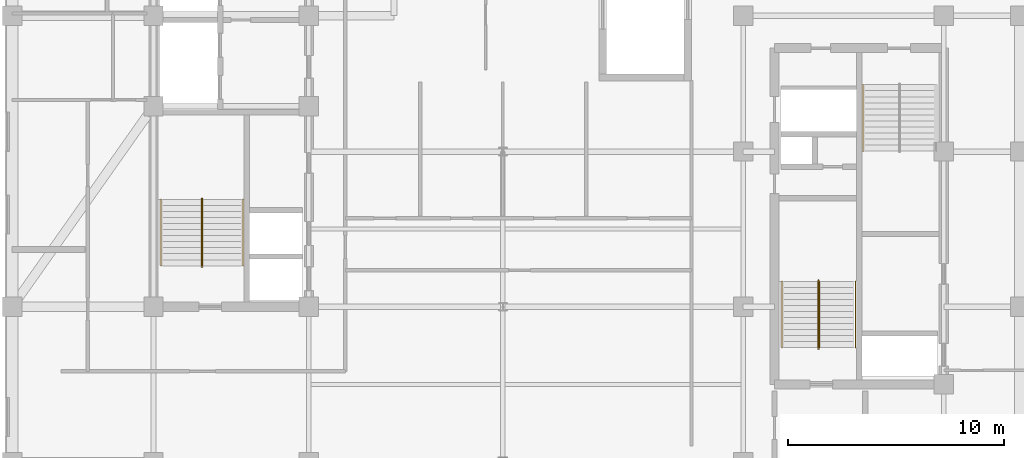
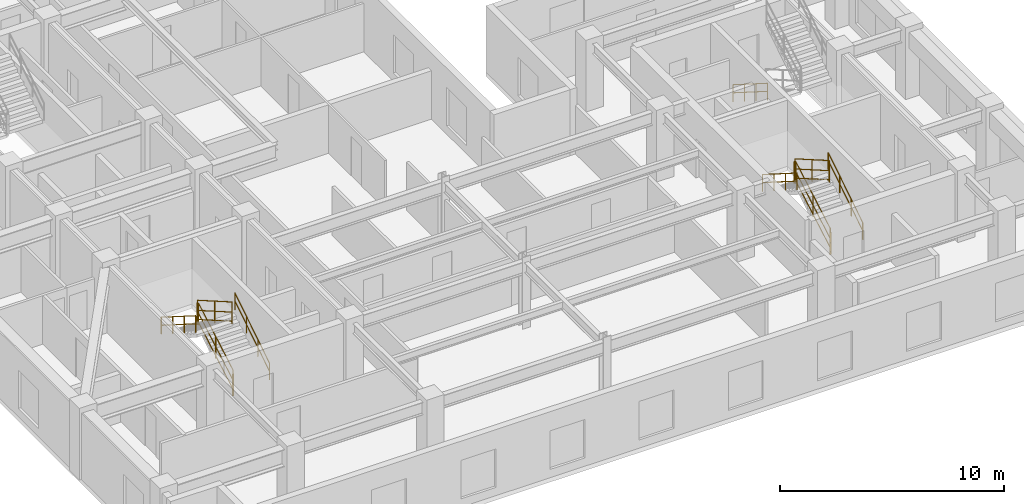
# One storey, part 8 of 10: 13 railings.
"""IFC4 building model written with IfcOpenShell, lengths in metres."""

from ifc_helpers import new_model, entity, si_unit, converted_unit, direction, frame, origin_with_axes, origin_2d_with_axis, place, context, subcontext, project, spatial, rectangle, circle, extrude, material, type_object, element, save


model = new_model("IFC4")

# Units and contexts
model_context = context("Model", 3, precision=1e-05, world=origin_with_axes(), true_north=direction((0.0, 1.0)))
body_context = subcontext(model_context, "Body", "Model", "MODEL_VIEW")
ifc_project = project(units=[si_unit("LENGTHUNIT", "METRE"), si_unit("AREAUNIT", "SQUARE_METRE"), si_unit("VOLUMEUNIT", "CUBIC_METRE"), converted_unit("PLANEANGLEUNIT", "DEGREE", entity("IfcPlaneAngleMeasure", 0.017453292519943295), si_unit("PLANEANGLEUNIT", "RADIAN"), dimensions=[0, 0, 0, 0, 0, 0, 0]), si_unit("MASSUNIT", "GRAM", prefix="KILO"), si_unit("THERMODYNAMICTEMPERATUREUNIT", "KELVIN")], contexts=[model_context])

# Site, building, storey
site_placement = place(None, origin_with_axes())
site = spatial("IfcSite", under=ifc_project, at=site_placement, CompositionType="ELEMENT")
building_placement = place(site_placement, origin_with_axes())
building = spatial("IfcBuilding", under=site, at=building_placement, Name="Varnlund Millrace Tower", CompositionType="ELEMENT")
storey_placement = place(building_placement, frame((0.0, 0.0, 244.2), z_axis=(0.0, 0.0, 1.0), x_axis=(1.0, 0.0, 0.0)))
storey = spatial("IfcBuildingStorey", under=building, at=storey_placement, Name="L60", CompositionType="ELEMENT", Elevation=244.2)

# Railings
ifc_material_1 = material(Name="Painted steel stair well balustrade guard", Category="steel")
railing_type_1 = type_object("IfcRailingType", Name="Type-StairGuard-1150", PredefinedType="GUARDRAIL", material=ifc_material_1)
railing_1_placement = place(storey_placement, frame((0.0, 0.0, -244.2), z_axis=(0.0, 0.0, 1.0), x_axis=(1.0, 0.0, 0.0)))
element("IfcRailing", 1, at=railing_1_placement, inside=storey, type_object=railing_type_1, Name="Type-StairGuard-1150", PredefinedType="GUARDRAIL", context=body_context, shape_type="SweptSolid", body=[
    extrude(circle(Radius=0.024, at=origin_2d_with_axis()), frame((13.675, 12.7, 245.527273), z_axis=(0.0, 0.866696, 0.498836), x_axis=(-1.0, 0.0, 0.0)), (0.0, 0.0, 1.0), 3.553725),
    extrude(circle(Radius=0.024, at=origin_2d_with_axis()), frame((13.675, 12.7, 244.477273), z_axis=(0.0, 0.866696, 0.498836), x_axis=(-1.0, 0.0, 0.0)), (0.0, 0.0, 1.0), 3.553725),
    extrude(circle(Radius=0.024, at=origin_2d_with_axis()), frame((13.675, 12.7, 244.975273), z_axis=(0.0, 0.866696, 0.498836), x_axis=(-1.0, 0.0, 0.0)), (0.0, 0.0, 1.0), 3.553725),
    extrude(rectangle(XDim=0.04, YDim=0.04, at=origin_2d_with_axis()), frame((13.675, 12.7, 244.337273), z_axis=(0.0, 0.0, 1.0), x_axis=(1.0, 0.0, 0.0)), (0.0, 0.0, 1.0), 1.19),
    extrude(rectangle(XDim=0.04, YDim=0.04, at=origin_2d_with_axis()), frame((13.675, 14.24, 245.223637), z_axis=(0.0, 0.0, 1.0), x_axis=(1.0, 0.0, 0.0)), (0.0, 0.0, 1.0), 1.19),
    extrude(rectangle(XDim=0.04, YDim=0.04, at=origin_2d_with_axis()), frame((13.675, 15.78, 246.11), z_axis=(0.0, 0.0, 1.0), x_axis=(1.0, 0.0, 0.0)), (0.0, 0.0, 1.0), 1.19),
])
railing_2_placement = place(storey_placement, frame((0.0, 0.0, -244.2), z_axis=(0.0, 0.0, 1.0), x_axis=(1.0, 0.0, 0.0)))
element("IfcRailing", 2, at=railing_2_placement, inside=storey, type_object=railing_type_1, Name="Type-StairGuard-1150", PredefinedType="GUARDRAIL", context=body_context, shape_type="SweptSolid", body=[
    extrude(circle(Radius=0.024, at=origin_2d_with_axis()), frame((13.625, 15.83, 247.3), z_axis=(1.0, 0.0, 0.0), x_axis=(0.0, 1.0, 0.0)), (0.0, 0.0, 1.0), 0.05),
    extrude(circle(Radius=0.024, at=origin_2d_with_axis()), frame((13.625, 15.83, 246.25), z_axis=(1.0, 0.0, 0.0), x_axis=(0.0, 1.0, 0.0)), (0.0, 0.0, 1.0), 0.05),
    extrude(circle(Radius=0.024, at=origin_2d_with_axis()), frame((13.625, 15.83, 246.748), z_axis=(1.0, 0.0, 0.0), x_axis=(0.0, 1.0, 0.0)), (0.0, 0.0, 1.0), 0.05),
    extrude(rectangle(XDim=0.04, YDim=0.04, at=origin_2d_with_axis()), frame((13.625, 15.83, 246.11), z_axis=(0.0, 0.0, 1.0), x_axis=(1.0, 0.0, 0.0)), (0.0, 0.0, 1.0), 1.19),
    extrude(rectangle(XDim=0.04, YDim=0.04, at=origin_2d_with_axis()), frame((13.675, 15.83, 246.11), z_axis=(0.0, 0.0, 1.0), x_axis=(1.0, 0.0, 0.0)), (0.0, 0.0, 1.0), 1.19),
])
railing_3_placement = place(storey_placement, frame((0.0, 0.0, -244.2), z_axis=(0.0, 0.0, 1.0), x_axis=(1.0, 0.0, 0.0)))
element("IfcRailing", 3, at=railing_3_placement, inside=storey, type_object=railing_type_1, Name="Type-StairGuard-1150", PredefinedType="GUARDRAIL", context=body_context, shape_type="SweptSolid", body=[
    extrude(circle(Radius=0.024, at=origin_2d_with_axis()), frame((13.625, 15.78, 247.477273), z_axis=(0.0, -0.866696, 0.498836), x_axis=(1.0, 0.0, 0.0)), (0.0, 0.0, 1.0), 3.553725),
    extrude(circle(Radius=0.024, at=origin_2d_with_axis()), frame((13.625, 15.78, 246.427273), z_axis=(0.0, -0.866696, 0.498836), x_axis=(1.0, 0.0, 0.0)), (0.0, 0.0, 1.0), 3.553725),
    extrude(circle(Radius=0.024, at=origin_2d_with_axis()), frame((13.625, 15.78, 246.925273), z_axis=(0.0, -0.866696, 0.498836), x_axis=(1.0, 0.0, 0.0)), (0.0, 0.0, 1.0), 3.553725),
    extrude(rectangle(XDim=0.04, YDim=0.04, at=origin_2d_with_axis()), frame((13.625, 15.78, 246.287273), z_axis=(0.0, 0.0, 1.0), x_axis=(1.0, 0.0, 0.0)), (0.0, 0.0, 1.0), 1.19),
    extrude(rectangle(XDim=0.04, YDim=0.04, at=origin_2d_with_axis()), frame((13.625, 14.24, 247.173637), z_axis=(0.0, 0.0, 1.0), x_axis=(1.0, 0.0, 0.0)), (0.0, 0.0, 1.0), 1.19),
    extrude(rectangle(XDim=0.04, YDim=0.04, at=origin_2d_with_axis()), frame((13.625, 12.7, 248.06), z_axis=(0.0, 0.0, 1.0), x_axis=(1.0, 0.0, 0.0)), (0.0, 0.0, 1.0), 1.19),
])
railing_4_placement = place(storey_placement, frame((0.0, 0.0, -244.2), z_axis=(0.0, 0.0, 1.0), x_axis=(1.0, 0.0, 0.0)))
element("IfcRailing", 4, at=railing_4_placement, inside=storey, type_object=railing_type_1, Name="Type-StairGuard-1150", PredefinedType="GUARDRAIL", context=body_context, shape_type="SweptSolid", body=[
    extrude(circle(Radius=0.024, at=origin_2d_with_axis()), frame((13.625, 12.65, 245.35), z_axis=(1.0, 0.0, 0.0), x_axis=(0.0, 1.0, 0.0)), (0.0, 0.0, 1.0), 0.05),
    extrude(circle(Radius=0.024, at=origin_2d_with_axis()), frame((13.625, 12.65, 244.3), z_axis=(1.0, 0.0, 0.0), x_axis=(0.0, 1.0, 0.0)), (0.0, 0.0, 1.0), 0.05),
    extrude(circle(Radius=0.024, at=origin_2d_with_axis()), frame((13.625, 12.65, 244.798), z_axis=(1.0, 0.0, 0.0), x_axis=(0.0, 1.0, 0.0)), (0.0, 0.0, 1.0), 0.05),
    extrude(rectangle(XDim=0.04, YDim=0.04, at=origin_2d_with_axis()), frame((13.625, 12.65, 244.16), z_axis=(0.0, 0.0, 1.0), x_axis=(1.0, 0.0, 0.0)), (0.0, 0.0, 1.0), 1.19),
    extrude(rectangle(XDim=0.04, YDim=0.04, at=origin_2d_with_axis()), frame((13.675, 12.65, 244.16), z_axis=(0.0, 0.0, 1.0), x_axis=(1.0, 0.0, 0.0)), (0.0, 0.0, 1.0), 1.19),
])
railing_5_placement = place(storey_placement, frame((0.0, 0.0, -244.2), z_axis=(0.0, 0.0, 1.0), x_axis=(1.0, 0.0, 0.0)))
element("IfcRailing", 5, at=railing_5_placement, inside=storey, type_object=railing_type_1, Name="Type-StairGuard-1150", PredefinedType="GUARDRAIL", context=body_context, shape_type="SweptSolid", body=[
    extrude(circle(Radius=0.024, at=origin_2d_with_axis()), frame((42.275, 8.9, 245.527273), z_axis=(0.0, 0.866696, 0.498836), x_axis=(-1.0, 0.0, 0.0)), (0.0, 0.0, 1.0), 3.553725),
    extrude(circle(Radius=0.024, at=origin_2d_with_axis()), frame((42.275, 8.9, 244.477273), z_axis=(0.0, 0.866696, 0.498836), x_axis=(-1.0, 0.0, 0.0)), (0.0, 0.0, 1.0), 3.553725),
    extrude(circle(Radius=0.024, at=origin_2d_with_axis()), frame((42.275, 8.9, 244.975273), z_axis=(0.0, 0.866696, 0.498836), x_axis=(-1.0, 0.0, 0.0)), (0.0, 0.0, 1.0), 3.553725),
    extrude(rectangle(XDim=0.04, YDim=0.04, at=origin_2d_with_axis()), frame((42.275, 8.9, 244.337273), z_axis=(0.0, 0.0, 1.0), x_axis=(1.0, 0.0, 0.0)), (0.0, 0.0, 1.0), 1.19),
    extrude(rectangle(XDim=0.04, YDim=0.04, at=origin_2d_with_axis()), frame((42.275, 10.44, 245.223637), z_axis=(0.0, 0.0, 1.0), x_axis=(1.0, 0.0, 0.0)), (0.0, 0.0, 1.0), 1.19),
    extrude(rectangle(XDim=0.04, YDim=0.04, at=origin_2d_with_axis()), frame((42.275, 11.98, 246.11), z_axis=(0.0, 0.0, 1.0), x_axis=(1.0, 0.0, 0.0)), (0.0, 0.0, 1.0), 1.19),
])
railing_6_placement = place(storey_placement, frame((0.0, 0.0, -244.2), z_axis=(0.0, 0.0, 1.0), x_axis=(1.0, 0.0, 0.0)))
element("IfcRailing", 6, at=railing_6_placement, inside=storey, type_object=railing_type_1, Name="Type-StairGuard-1150", PredefinedType="GUARDRAIL", context=body_context, shape_type="SweptSolid", body=[
    extrude(circle(Radius=0.024, at=origin_2d_with_axis()), frame((42.225, 12.03, 247.3), z_axis=(1.0, 0.0, 0.0), x_axis=(0.0, 1.0, 0.0)), (0.0, 0.0, 1.0), 0.05),
    extrude(circle(Radius=0.024, at=origin_2d_with_axis()), frame((42.225, 12.03, 246.25), z_axis=(1.0, 0.0, 0.0), x_axis=(0.0, 1.0, 0.0)), (0.0, 0.0, 1.0), 0.05),
    extrude(circle(Radius=0.024, at=origin_2d_with_axis()), frame((42.225, 12.03, 246.748), z_axis=(1.0, 0.0, 0.0), x_axis=(0.0, 1.0, 0.0)), (0.0, 0.0, 1.0), 0.05),
    extrude(rectangle(XDim=0.04, YDim=0.04, at=origin_2d_with_axis()), frame((42.225, 12.03, 246.11), z_axis=(0.0, 0.0, 1.0), x_axis=(1.0, 0.0, 0.0)), (0.0, 0.0, 1.0), 1.19),
    extrude(rectangle(XDim=0.04, YDim=0.04, at=origin_2d_with_axis()), frame((42.275, 12.03, 246.11), z_axis=(0.0, 0.0, 1.0), x_axis=(1.0, 0.0, 0.0)), (0.0, 0.0, 1.0), 1.19),
])
railing_7_placement = place(storey_placement, frame((0.0, 0.0, -244.2), z_axis=(0.0, 0.0, 1.0), x_axis=(1.0, 0.0, 0.0)))
element("IfcRailing", 7, at=railing_7_placement, inside=storey, type_object=railing_type_1, Name="Type-StairGuard-1150", PredefinedType="GUARDRAIL", context=body_context, shape_type="SweptSolid", body=[
    extrude(circle(Radius=0.024, at=origin_2d_with_axis()), frame((42.225, 11.98, 247.477273), z_axis=(0.0, -0.866696, 0.498836), x_axis=(1.0, 0.0, 0.0)), (0.0, 0.0, 1.0), 3.553725),
    extrude(circle(Radius=0.024, at=origin_2d_with_axis()), frame((42.225, 11.98, 246.427273), z_axis=(0.0, -0.866696, 0.498836), x_axis=(1.0, 0.0, 0.0)), (0.0, 0.0, 1.0), 3.553725),
    extrude(circle(Radius=0.024, at=origin_2d_with_axis()), frame((42.225, 11.98, 246.925273), z_axis=(0.0, -0.866696, 0.498836), x_axis=(1.0, 0.0, 0.0)), (0.0, 0.0, 1.0), 3.553725),
    extrude(rectangle(XDim=0.04, YDim=0.04, at=origin_2d_with_axis()), frame((42.225, 11.98, 246.287273), z_axis=(0.0, 0.0, 1.0), x_axis=(1.0, 0.0, 0.0)), (0.0, 0.0, 1.0), 1.19),
    extrude(rectangle(XDim=0.04, YDim=0.04, at=origin_2d_with_axis()), frame((42.225, 10.44, 247.173637), z_axis=(0.0, 0.0, 1.0), x_axis=(1.0, 0.0, 0.0)), (0.0, 0.0, 1.0), 1.19),
    extrude(rectangle(XDim=0.04, YDim=0.04, at=origin_2d_with_axis()), frame((42.225, 8.9, 248.06), z_axis=(0.0, 0.0, 1.0), x_axis=(1.0, 0.0, 0.0)), (0.0, 0.0, 1.0), 1.19),
])
railing_8_placement = place(storey_placement, frame((0.0, 0.0, -244.2), z_axis=(0.0, 0.0, 1.0), x_axis=(1.0, 0.0, 0.0)))
element("IfcRailing", 8, at=railing_8_placement, inside=storey, type_object=railing_type_1, Name="Type-StairGuard-1150", PredefinedType="GUARDRAIL", context=body_context, shape_type="SweptSolid", body=[
    extrude(circle(Radius=0.024, at=origin_2d_with_axis()), frame((42.225, 8.85, 245.35), z_axis=(1.0, 0.0, 0.0), x_axis=(0.0, 1.0, 0.0)), (0.0, 0.0, 1.0), 0.05),
    extrude(circle(Radius=0.024, at=origin_2d_with_axis()), frame((42.225, 8.85, 244.3), z_axis=(1.0, 0.0, 0.0), x_axis=(0.0, 1.0, 0.0)), (0.0, 0.0, 1.0), 0.05),
    extrude(circle(Radius=0.024, at=origin_2d_with_axis()), frame((42.225, 8.85, 244.798), z_axis=(1.0, 0.0, 0.0), x_axis=(0.0, 1.0, 0.0)), (0.0, 0.0, 1.0), 0.05),
    extrude(rectangle(XDim=0.04, YDim=0.04, at=origin_2d_with_axis()), frame((42.225, 8.85, 244.16), z_axis=(0.0, 0.0, 1.0), x_axis=(1.0, 0.0, 0.0)), (0.0, 0.0, 1.0), 1.19),
    extrude(rectangle(XDim=0.04, YDim=0.04, at=origin_2d_with_axis()), frame((42.275, 8.85, 244.16), z_axis=(0.0, 0.0, 1.0), x_axis=(1.0, 0.0, 0.0)), (0.0, 0.0, 1.0), 1.19),
])
ifc_material_2 = material(Name="Brushed architectural bronze stair handrail", Category="aluminium")
railing_type_2 = type_object("IfcRailingType", Name="Type-StairHandrail-900", PredefinedType="HANDRAIL", material=ifc_material_2)
railing_9_placement = place(storey_placement, frame((0.0, 0.0, -244.2), z_axis=(0.0, 0.0, 1.0), x_axis=(1.0, 0.0, 0.0)))
element("IfcRailing", 9, at=railing_9_placement, inside=storey, type_object=railing_type_2, Name="Type-StairHandrail-900", PredefinedType="HANDRAIL", context=body_context, shape_type="SweptSolid", body=[
    extrude(circle(Radius=0.024, at=origin_2d_with_axis()), frame((15.55, 12.7, 245.256995), z_axis=(0.0, 0.844902, 0.534922), x_axis=(-1.0, 0.0, 0.0)), (0.0, 0.0, 1.0), 3.645394),
    extrude(circle(Radius=0.024, at=origin_2d_with_axis()), frame((15.55, 12.7, 244.817134), z_axis=(0.0, 0.844902, 0.534922), x_axis=(-1.0, 0.0, 0.0)), (0.0, 0.0, 1.0), 3.645394),
    extrude(rectangle(XDim=0.04, YDim=0.04, at=origin_2d_with_axis()), frame((15.55, 12.7, 244.337273), z_axis=(0.0, 0.0, 1.0), x_axis=(1.0, 0.0, 0.0)), (0.0, 0.0, 1.0), 0.919722),
    extrude(rectangle(XDim=0.04, YDim=0.04, at=origin_2d_with_axis()), frame((15.55, 13.726667, 244.987273), z_axis=(0.0, 0.0, 1.0), x_axis=(1.0, 0.0, 0.0)), (0.0, 0.0, 1.0), 0.919722),
    extrude(rectangle(XDim=0.04, YDim=0.04, at=origin_2d_with_axis()), frame((15.55, 14.753333, 245.637273), z_axis=(0.0, 0.0, 1.0), x_axis=(1.0, 0.0, 0.0)), (0.0, 0.0, 1.0), 0.919722),
    extrude(rectangle(XDim=0.04, YDim=0.04, at=origin_2d_with_axis()), frame((15.55, 15.78, 246.287273), z_axis=(0.0, 0.0, 1.0), x_axis=(1.0, 0.0, 0.0)), (0.0, 0.0, 1.0), 0.919722),
])
railing_10_placement = place(storey_placement, frame((0.0, 0.0, -244.2), z_axis=(0.0, 0.0, 1.0), x_axis=(1.0, 0.0, 0.0)))
element("IfcRailing", 10, at=railing_10_placement, inside=storey, type_object=railing_type_2, Name="Type-StairHandrail-900", PredefinedType="HANDRAIL", context=body_context, shape_type="SweptSolid", body=[
    extrude(circle(Radius=0.024, at=origin_2d_with_axis()), frame((11.75, 15.78, 247.206995), z_axis=(0.0, -0.844902, 0.534922), x_axis=(1.0, 0.0, 0.0)), (0.0, 0.0, 1.0), 3.645394),
    extrude(circle(Radius=0.024, at=origin_2d_with_axis()), frame((11.75, 15.78, 246.767134), z_axis=(0.0, -0.844902, 0.534922), x_axis=(1.0, 0.0, 0.0)), (0.0, 0.0, 1.0), 3.645394),
    extrude(rectangle(XDim=0.04, YDim=0.04, at=origin_2d_with_axis()), frame((11.75, 15.78, 246.287273), z_axis=(0.0, 0.0, 1.0), x_axis=(1.0, 0.0, 0.0)), (0.0, 0.0, 1.0), 0.919722),
    extrude(rectangle(XDim=0.04, YDim=0.04, at=origin_2d_with_axis()), frame((11.75, 14.753333, 246.937273), z_axis=(0.0, 0.0, 1.0), x_axis=(1.0, 0.0, 0.0)), (0.0, 0.0, 1.0), 0.919722),
    extrude(rectangle(XDim=0.04, YDim=0.04, at=origin_2d_with_axis()), frame((11.75, 13.726667, 247.587273), z_axis=(0.0, 0.0, 1.0), x_axis=(1.0, 0.0, 0.0)), (0.0, 0.0, 1.0), 0.919722),
    extrude(rectangle(XDim=0.04, YDim=0.04, at=origin_2d_with_axis()), frame((11.75, 12.7, 248.237273), z_axis=(0.0, 0.0, 1.0), x_axis=(1.0, 0.0, 0.0)), (0.0, 0.0, 1.0), 0.919722),
])
railing_11_placement = place(storey_placement, frame((0.0, 0.0, -244.2), z_axis=(0.0, 0.0, 1.0), x_axis=(1.0, 0.0, 0.0)))
element("IfcRailing", 11, at=railing_11_placement, inside=storey, type_object=railing_type_2, Name="Type-StairHandrail-900", PredefinedType="HANDRAIL", context=body_context, shape_type="SweptSolid", body=[
    extrude(circle(Radius=0.024, at=origin_2d_with_axis()), frame((43.95, 8.9, 245.256995), z_axis=(0.0, 0.844902, 0.534922), x_axis=(-1.0, 0.0, 0.0)), (0.0, 0.0, 1.0), 3.645394),
    extrude(circle(Radius=0.024, at=origin_2d_with_axis()), frame((43.95, 8.9, 244.817134), z_axis=(0.0, 0.844902, 0.534922), x_axis=(-1.0, 0.0, 0.0)), (0.0, 0.0, 1.0), 3.645394),
    extrude(rectangle(XDim=0.04, YDim=0.04, at=origin_2d_with_axis()), frame((43.95, 8.9, 244.337273), z_axis=(0.0, 0.0, 1.0), x_axis=(1.0, 0.0, 0.0)), (0.0, 0.0, 1.0), 0.919722),
    extrude(rectangle(XDim=0.04, YDim=0.04, at=origin_2d_with_axis()), frame((43.95, 9.926667, 244.987273), z_axis=(0.0, 0.0, 1.0), x_axis=(1.0, 0.0, 0.0)), (0.0, 0.0, 1.0), 0.919722),
    extrude(rectangle(XDim=0.04, YDim=0.04, at=origin_2d_with_axis()), frame((43.95, 10.953333, 245.637273), z_axis=(0.0, 0.0, 1.0), x_axis=(1.0, 0.0, 0.0)), (0.0, 0.0, 1.0), 0.919722),
    extrude(rectangle(XDim=0.04, YDim=0.04, at=origin_2d_with_axis()), frame((43.95, 11.98, 246.287273), z_axis=(0.0, 0.0, 1.0), x_axis=(1.0, 0.0, 0.0)), (0.0, 0.0, 1.0), 0.919722),
])
railing_12_placement = place(storey_placement, frame((0.0, 0.0, -244.2), z_axis=(0.0, 0.0, 1.0), x_axis=(1.0, 0.0, 0.0)))
element("IfcRailing", 12, at=railing_12_placement, inside=storey, type_object=railing_type_2, Name="Type-StairHandrail-900", PredefinedType="HANDRAIL", context=body_context, shape_type="SweptSolid", body=[
    extrude(circle(Radius=0.024, at=origin_2d_with_axis()), frame((40.55, 11.98, 247.206995), z_axis=(0.0, -0.844902, 0.534922), x_axis=(1.0, 0.0, 0.0)), (0.0, 0.0, 1.0), 3.645394),
    extrude(circle(Radius=0.024, at=origin_2d_with_axis()), frame((40.55, 11.98, 246.767134), z_axis=(0.0, -0.844902, 0.534922), x_axis=(1.0, 0.0, 0.0)), (0.0, 0.0, 1.0), 3.645394),
    extrude(rectangle(XDim=0.04, YDim=0.04, at=origin_2d_with_axis()), frame((40.55, 11.98, 246.287273), z_axis=(0.0, 0.0, 1.0), x_axis=(1.0, 0.0, 0.0)), (0.0, 0.0, 1.0), 0.919722),
    extrude(rectangle(XDim=0.04, YDim=0.04, at=origin_2d_with_axis()), frame((40.55, 10.953333, 246.937273), z_axis=(0.0, 0.0, 1.0), x_axis=(1.0, 0.0, 0.0)), (0.0, 0.0, 1.0), 0.919722),
    extrude(rectangle(XDim=0.04, YDim=0.04, at=origin_2d_with_axis()), frame((40.55, 9.926667, 247.587273), z_axis=(0.0, 0.0, 1.0), x_axis=(1.0, 0.0, 0.0)), (0.0, 0.0, 1.0), 0.919722),
    extrude(rectangle(XDim=0.04, YDim=0.04, at=origin_2d_with_axis()), frame((40.55, 8.9, 248.237273), z_axis=(0.0, 0.0, 1.0), x_axis=(1.0, 0.0, 0.0)), (0.0, 0.0, 1.0), 0.919722),
])
railing_13_placement = place(storey_placement, frame((0.0, 0.0, -244.2), z_axis=(0.0, 0.0, 1.0), x_axis=(1.0, 0.0, 0.0)))
element("IfcRailing", 13, at=railing_13_placement, inside=storey, type_object=railing_type_2, Name="Type-StairHandrail-900", PredefinedType="HANDRAIL", context=body_context, shape_type="SweptSolid", body=[
    extrude(circle(Radius=0.024, at=origin_2d_with_axis()), frame((44.3, 21.1, 245.256995), z_axis=(0.0, -0.844902, 0.534922), x_axis=(1.0, 0.0, 0.0)), (0.0, 0.0, 1.0), 3.645394),
    extrude(circle(Radius=0.024, at=origin_2d_with_axis()), frame((44.3, 21.1, 244.817134), z_axis=(0.0, -0.844902, 0.534922), x_axis=(1.0, 0.0, 0.0)), (0.0, 0.0, 1.0), 3.645394),
    extrude(rectangle(XDim=0.04, YDim=0.04, at=origin_2d_with_axis()), frame((44.3, 21.1, 244.337273), z_axis=(0.0, 0.0, 1.0), x_axis=(1.0, 0.0, 0.0)), (0.0, 0.0, 1.0), 0.919722),
    extrude(rectangle(XDim=0.04, YDim=0.04, at=origin_2d_with_axis()), frame((44.3, 20.073333, 244.987273), z_axis=(0.0, 0.0, 1.0), x_axis=(1.0, 0.0, 0.0)), (0.0, 0.0, 1.0), 0.919722),
    extrude(rectangle(XDim=0.04, YDim=0.04, at=origin_2d_with_axis()), frame((44.3, 19.046667, 245.637273), z_axis=(0.0, 0.0, 1.0), x_axis=(1.0, 0.0, 0.0)), (0.0, 0.0, 1.0), 0.919722),
    extrude(rectangle(XDim=0.04, YDim=0.04, at=origin_2d_with_axis()), frame((44.3, 18.02, 246.287273), z_axis=(0.0, 0.0, 1.0), x_axis=(1.0, 0.0, 0.0)), (0.0, 0.0, 1.0), 0.919722),
])

save(model, "model.ifc")
